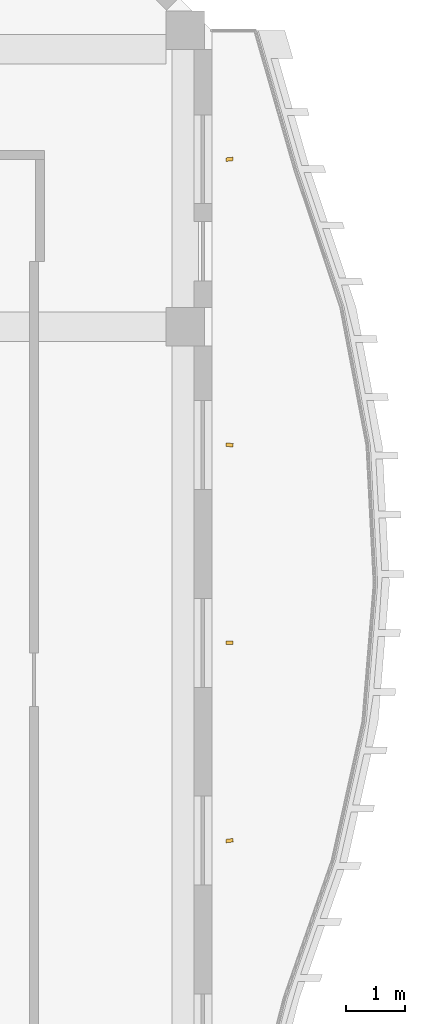
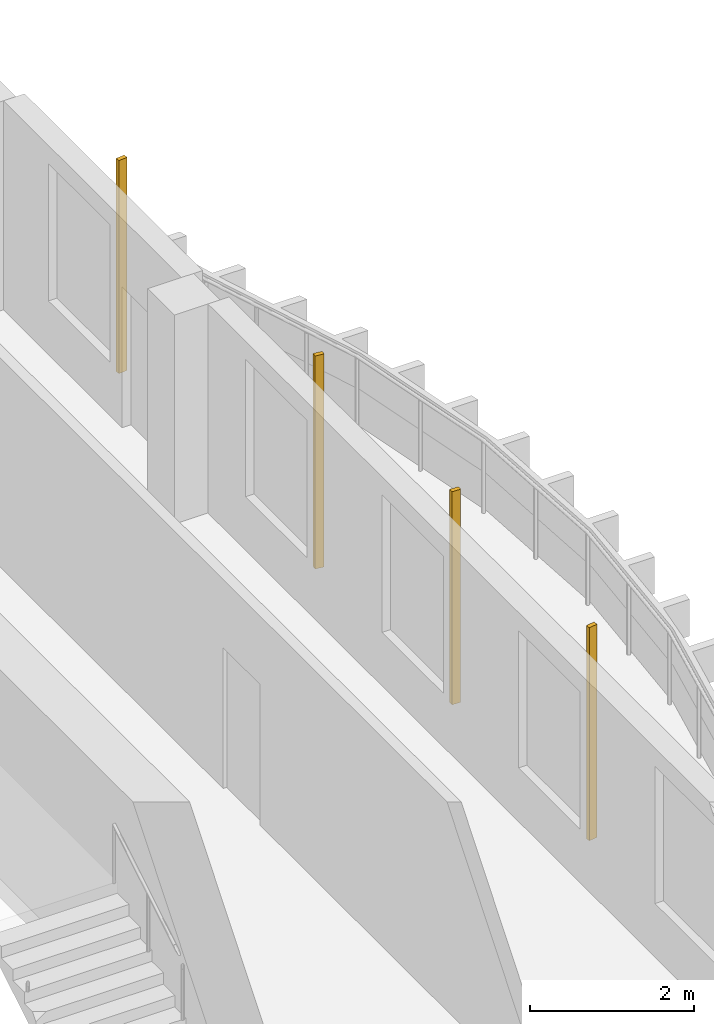
# One storey, part 17 of 17: 4 shading devices.
"""IFC4 building model written with IfcOpenShell, lengths in metres."""

from ifc_helpers import new_model, si_unit, direction, frame, origin, origin_2d, place, context, subcontext, project, spatial, rectangle, extrude, source, transform, mapped, material, material_profile, profile_set, type_object, element, save


model = new_model("IFC4")

# Units and contexts
model_context = context("Model", 3, precision=1e-05, world=origin(), true_north=direction((0.0, 1.0)))
body_context = subcontext(model_context, "Body", "Model", "MODEL_VIEW")
ifc_project = project(units=[si_unit("LENGTHUNIT", "METRE"), si_unit("AREAUNIT", "SQUARE_METRE"), si_unit("VOLUMEUNIT", "CUBIC_METRE"), si_unit("PLANEANGLEUNIT", "RADIAN"), si_unit("MASSUNIT", "GRAM", prefix="KILO")], contexts=[model_context])

# Site, building, storey
site_placement = place(None, origin())
site = spatial("IfcSite", under=ifc_project, at=site_placement, CompositionType="ELEMENT")
building_placement = place(site_placement, origin())
building = spatial("IfcBuilding", under=site, at=building_placement, Name="Kilnfold Tower and Market Hall", CompositionType="ELEMENT")
storey_placement = place(building_placement, frame((0.0, 0.0, 273.800048828125)))
storey = spatial("IfcBuildingStorey", under=building, at=storey_placement, Name="L67", CompositionType="ELEMENT", Elevation=273.800048828125)

# Shading devices
ifc_material = material(Name="Terracotta", Category="masonry")
ifc_material_profile = material_profile(ifc_material, rectangle(XDim=0.06005859375, YDim=0.1201171875, at=origin_2d()), Name="BAG 60x120")
ifc_profile_set = profile_set([ifc_material_profile], Name="Terracotta")
shading_device_type = type_object("IfcShadingDeviceType", Name="BAGUETTE", PredefinedType="USERDEFINED", material=ifc_profile_set)
shared_shape = source(origin(), body_context, "Body", "SweptSolid", [
    extrude(rectangle(XDim=0.06005859375, YDim=0.1201171875, at=origin_2d()), origin(), (0.0, 0.0, 1.0), 3.179931640625),
])
for number, where, z_axis, x_axis, name in (
    (1, (23.800048828125, 13.331298828125, 0.0), (0.0, 0.0, 1.0), (-0.128061705279, 0.991766202107, 0.0), "Terracotta baguette L67 E"),
    (2, (23.800048828125, 16.668701171875, 0.0), (0.0, 0.0, 1.0), (0.045300220868, 0.998973418059, 0.0), "Terracotta baguette L67 E"),
    (3, (23.800048828125, 20.006103515625, 0.0), (0.0, 0.0, 1.0), (0.134608812038, 0.990898818105, 0.0), "Terracotta baguette L67 E"),
    (4, (23.800048828125, 24.824951171875, 0.0), (0.0, 0.0, 1.0), (-0.104656909239, 0.994508386766, 0.0), "Terracotta baguette L67 E"),
):
    element("IfcShadingDevice", number, at=place(storey_placement, frame(where, z_axis=z_axis, x_axis=x_axis)), inside=storey, type_object=shading_device_type, Name=name, ObjectType="BAGUETTE", PredefinedType="USERDEFINED", context=body_context, shape_type="MappedRepresentation", body=[
        mapped(shared_shape, transform((0.0, 0.0, 0.0))),
    ])

save(model, "model.ifc")
